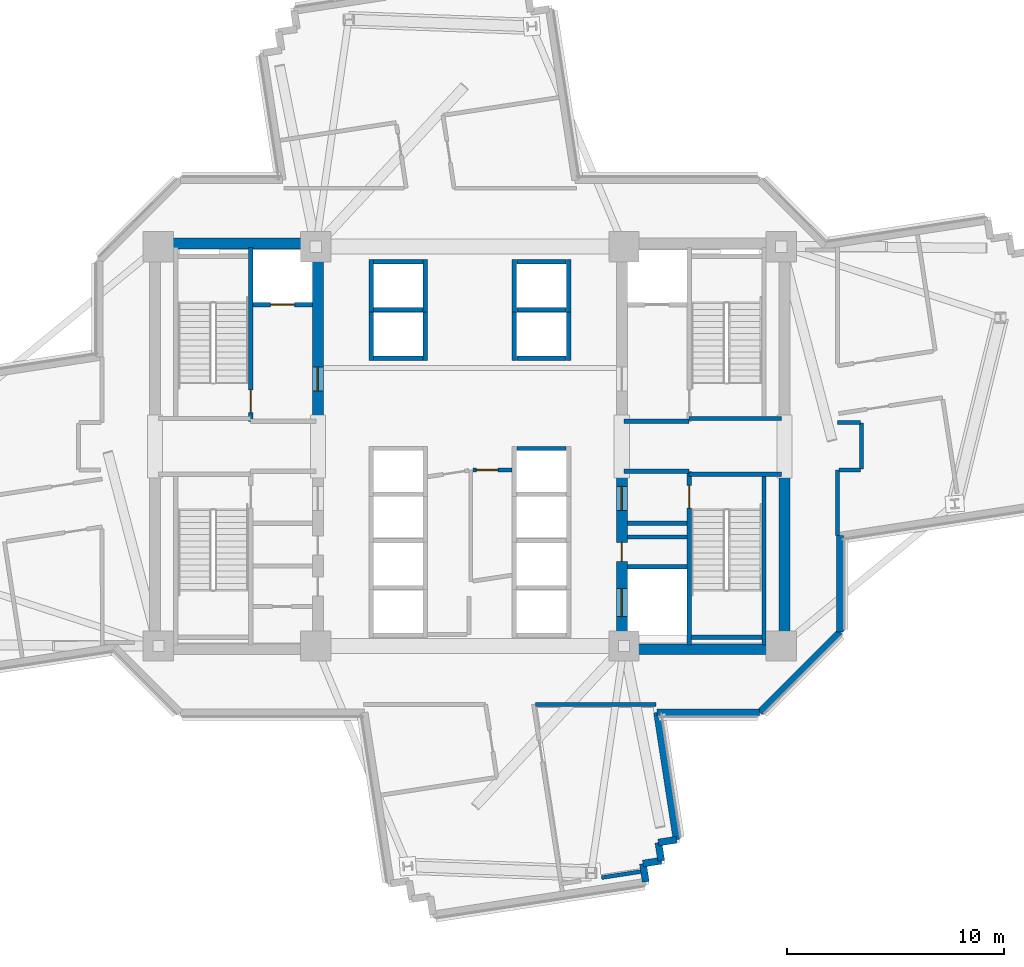
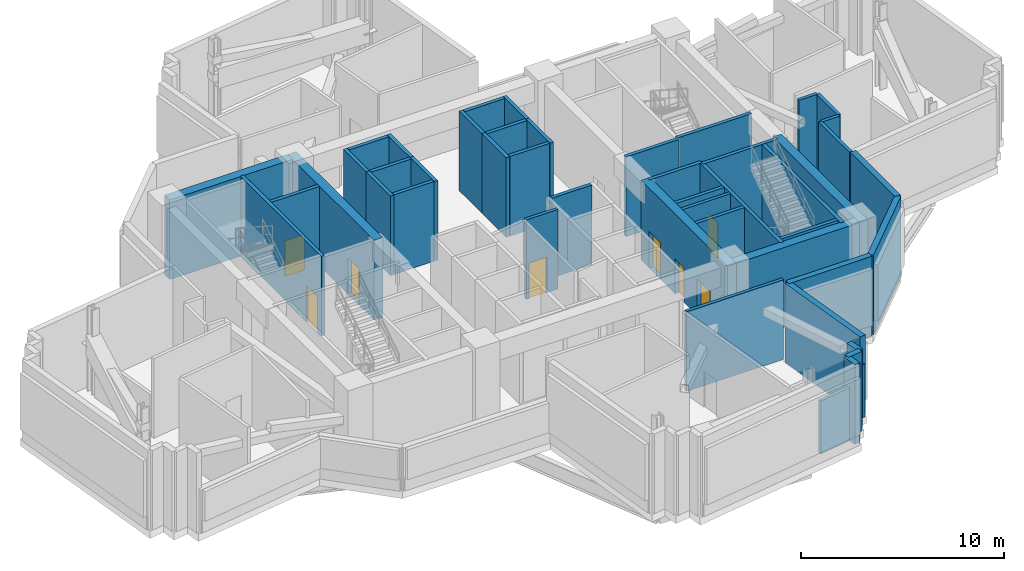
# One storey, part 4 of 10: 47 walls, 8 doors, 8 openings.
"""IFC4 building model written with IfcOpenShell, lengths in metres."""

from ifc_helpers import new_model, si_unit, direction, frame, frame_2d, origin, place, context, subcontext, project, spatial, rectangle, extrude, source, transform, mapped, material, layer, layer_set, type_object, element, fill, save


model = new_model("IFC4")

# Units and contexts
model_context = context("Model", 3, precision=1e-05, world=origin(), true_north=direction((0.0, 1.0)))
body_context = subcontext(model_context, "Body", "Model", "MODEL_VIEW")
ifc_project = project(units=[si_unit("LENGTHUNIT", "METRE"), si_unit("AREAUNIT", "SQUARE_METRE"), si_unit("VOLUMEUNIT", "CUBIC_METRE"), si_unit("PLANEANGLEUNIT", "RADIAN"), si_unit("MASSUNIT", "GRAM", prefix="KILO")], contexts=[model_context])

# Site, building, storey
site_placement = place(None, origin())
site = spatial("IfcSite", under=ifc_project, at=site_placement, CompositionType="ELEMENT")
building_placement = place(site_placement, origin())
building = spatial("IfcBuilding", under=site, at=building_placement, Name="Zahravan Cultural Tower", CompositionType="ELEMENT")
storey_placement = place(building_placement, frame((0.0, 0.0, 125.699951171875)))
storey = spatial("IfcBuildingStorey", under=building, at=storey_placement, Name="L28", CompositionType="ELEMENT", Elevation=125.699951171875)

# Wall, opening, door
ifc_material_1 = material(Name="Concrete C60/75", Category="concrete")
ifc_layer_1 = layer(ifc_material_1, 0.5)
ifc_layer_set_1 = layer_set([ifc_layer_1], Name="Concrete C60/75")
wall_type_1 = type_object("IfcWallType", Name="CW-SHEAR-500-C60", PredefinedType="SHEAR", material=ifc_layer_set_1)
wall_1_placement = place(storey_placement, frame((29.0, 28.050048828125, 0.0), z_axis=(0.0, 0.0, 1.0), x_axis=(0.0, 1.0, 0.0)))
wall_1 = element("IfcWall", 1, at=wall_1_placement, inside=storey, type_object=wall_type_1, Name="L28 Core Shear Wall CW-W-EN-L28", PredefinedType="SHEAR", context=body_context, shape_type="SweptSolid", body=[
    extrude(rectangle(XDim=8.550048828125, YDim=0.5, at=frame_2d((4.27490234375, 0.0))), origin(), (0.0, 0.0, 1.0), 4.800048828125),
])
opening_1_placement = place(wall_1_placement, frame((1.5, 0.0, 0.0)))
opening_1 = element("IfcOpeningElement", 2, at=opening_1_placement, cuts=wall_1, Name="Opening D-L28-05", PredefinedType="OPENING", context=body_context, shape_type="SweptSolid", body=[
    extrude(rectangle(XDim=1.10009765625, YDim=2.199951171875, at=frame_2d((0.550048828125, 1.10009765625))), frame((0.0, 0.260009765625, 0.0), z_axis=(0.0, -1.0, 0.0), x_axis=(1.0, 0.0, 0.0)), (0.0, 0.0, 1.0), 0.52001953125),
])
ifc_material_2 = material(Name="Steel ASTM A572 Grade 50", Category="steel")
door_type_1 = type_object("IfcDoorType", Name="DR-LOBBY-1100", OperationType="NOTDEFINED", PredefinedType="DOOR", material=ifc_material_2)
shared_shape_1 = source(origin(), body_context, "Body", "SweptSolid", [
    extrude(rectangle(XDim=1.10009765625, YDim=2.199951171875, at=frame_2d((0.550048828125, 1.10009765625))), frame((0.0, 0.02490234375, 0.0), z_axis=(0.0, -1.0, 0.0), x_axis=(1.0, 0.0, 0.0)), (0.0, 0.0, 1.0), 0.050048828125),
])
door_1_placement = place(opening_1_placement, origin())
door_1 = element("IfcDoor", 3, at=door_1_placement, inside=storey, type_object=door_type_1, Name="L28 Door D-L28-05", OperationType="SINGLE_SWING_RIGHT", OverallHeight=2.199951171875, OverallWidth=1.10009765625, PredefinedType="DOOR", context=body_context, shape_type="MappedRepresentation", body=[
    mapped(shared_shape_1, transform((0.0, 0.0, 0.0), x_axis=(1.0, 0.0, 0.0), y_axis=(0.0, 1.0, 0.0), z_axis=(0.0, 0.0, 1.0), scale=1.0)),
])
fill(opening_1, door_1)

# Wall, openings, doors
wall_2_placement = place(storey_placement, frame((43.0, 17.39990234375, 0.0), z_axis=(0.0, 0.0, 1.0), x_axis=(0.0, 1.0, 0.0)))
wall_2 = element("IfcWall", 4, at=wall_2_placement, inside=storey, type_object=wall_type_1, Name="L28 Core Shear Wall CW-E-WS-L28", PredefinedType="SHEAR", context=body_context, shape_type="SweptSolid", body=[
    extrude(rectangle(XDim=8.550048828125, YDim=0.5, at=frame_2d((4.27490234375, 0.0))), origin(), (0.0, 0.0, 1.0), 4.800048828125),
])
opening_2_placement = place(wall_2_placement, frame((6.64990234375, 0.0, 0.0)))
opening_2 = element("IfcOpeningElement", 5, at=opening_2_placement, cuts=wall_2, Name="Opening D-L28-08", PredefinedType="OPENING", context=body_context, shape_type="SweptSolid", body=[
    extrude(rectangle(XDim=1.10009765625, YDim=2.199951171875, at=frame_2d((0.550048828125, 1.10009765625))), frame((0.0, 0.260009765625, 0.0), z_axis=(0.0, -1.0, 0.0), x_axis=(1.0, 0.0, 0.0)), (0.0, 0.0, 1.0), 0.52001953125),
])
opening_3_placement = place(wall_2_placement, frame((1.75, 0.0, 0.0)))
opening_3 = element("IfcOpeningElement", 6, at=opening_3_placement, cuts=wall_2, Name="Opening LD-L28-03", PredefinedType="OPENING", context=body_context, shape_type="SweptSolid", body=[
    extrude(rectangle(XDim=1.300048828125, YDim=2.199951171875, at=frame_2d((0.64990234375, 1.10009765625))), frame((0.0, 0.260009765625, 0.0), z_axis=(0.0, -1.0, 0.0), x_axis=(1.0, 0.0, 0.0)), (0.0, 0.0, 1.0), 0.52001953125),
])
opening_4_placement = place(wall_2_placement, frame((4.300048828125, 0.0, 0.0)))
opening_4 = element("IfcOpeningElement", 7, at=opening_4_placement, cuts=wall_2, Name="Opening D-L28-12", PredefinedType="OPENING", context=body_context, shape_type="SweptSolid", body=[
    extrude(rectangle(XDim=0.8798828125, YDim=2.10009765625, at=frame_2d((0.43994140625, 1.050048828125))), frame((0.0, 0.260009765625, 0.0), z_axis=(0.0, -1.0, 0.0), x_axis=(1.0, 0.0, 0.0)), (0.0, 0.0, 1.0), 0.52001953125),
])
door_2_placement = place(opening_2_placement, origin())
door_2 = element("IfcDoor", 8, at=door_2_placement, inside=storey, type_object=door_type_1, Name="L28 Door D-L28-08", OperationType="SINGLE_SWING_LEFT", OverallHeight=2.199951171875, OverallWidth=1.10009765625, PredefinedType="DOOR", context=body_context, shape_type="MappedRepresentation", body=[
    mapped(shared_shape_1, transform((0.0, 0.0, 0.0), x_axis=(1.0, 0.0, 0.0), y_axis=(0.0, 1.0, 0.0), z_axis=(0.0, 0.0, 1.0), scale=1.0)),
])
fill(opening_2, door_2)
door_type_2 = type_object("IfcDoorType", Name="DR-LIFT-1300", OperationType="DOUBLE_DOOR_SLIDING", PredefinedType="DOOR", material=ifc_material_2)
shared_shape_2 = source(origin(), body_context, "Body", "SweptSolid", [
    extrude(rectangle(XDim=1.300048828125, YDim=2.199951171875, at=frame_2d((0.64990234375, 1.10009765625))), frame((0.0, 0.02490234375, 0.0), z_axis=(0.0, -1.0, 0.0), x_axis=(1.0, 0.0, 0.0)), (0.0, 0.0, 1.0), 0.050048828125),
])
door_3_placement = place(opening_3_placement, origin())
door_3 = element("IfcDoor", 9, at=door_3_placement, inside=storey, type_object=door_type_2, Name="L28 Door LD-L28-03", OperationType="DOUBLE_DOOR_SLIDING", OverallHeight=2.199951171875, OverallWidth=1.300048828125, PredefinedType="DOOR", context=body_context, shape_type="MappedRepresentation", body=[
    mapped(shared_shape_2, transform((0.0, 0.0, 0.0), x_axis=(1.0, 0.0, 0.0), y_axis=(0.0, 1.0, 0.0), z_axis=(0.0, 0.0, 1.0), scale=1.0)),
])
fill(opening_3, door_3)
door_type_3 = type_object("IfcDoorType", Name="DR-SVC-880", OperationType="NOTDEFINED", PredefinedType="DOOR", material=ifc_material_2)
shared_shape_3 = source(origin(), body_context, "Body", "SweptSolid", [
    extrude(rectangle(XDim=0.8798828125, YDim=2.10009765625, at=frame_2d((0.43994140625, 1.050048828125))), frame((0.0, 0.02490234375, 0.0), z_axis=(0.0, -1.0, 0.0), x_axis=(1.0, 0.0, 0.0)), (0.0, 0.0, 1.0), 0.050048828125),
])
door_4_placement = place(opening_4_placement, origin())
door_4 = element("IfcDoor", 10, at=door_4_placement, inside=storey, type_object=door_type_3, Name="L28 Door D-L28-12", OperationType="SINGLE_SWING_LEFT", OverallHeight=2.10009765625, OverallWidth=0.8798828125, PredefinedType="DOOR", context=body_context, shape_type="MappedRepresentation", body=[
    mapped(shared_shape_3, transform((0.0, 0.0, 0.0), x_axis=(1.0, 0.0, 0.0), y_axis=(0.0, 1.0, 0.0), z_axis=(0.0, 0.0, 1.0), scale=1.0)),
])
fill(opening_4, door_4)

# Wall, opening, door
ifc_material_3 = material(Name="Gypsum plasterboard partition")
ifc_layer_2 = layer(ifc_material_3, 0.179931640625)
ifc_layer_set_2 = layer_set([ifc_layer_2], Name="Gypsum plasterboard partition")
wall_type_2 = type_object("IfcWallType", Name="W-COMP-180", PredefinedType="PARTITIONING", material=ifc_layer_set_2)
wall_3_placement = place(storey_placement, frame((36.135009765625, 25.909912109375, 0.0), z_axis=(0.0, 0.0, 1.0), x_axis=(1.0, 0.0, 0.0)))
wall_3 = element("IfcWall", 11, at=wall_3_placement, inside=storey, type_object=wall_type_2, Name="L28 Interior Wall 070", PredefinedType="PARTITIONING", context=body_context, shape_type="SweptSolid", body=[
    extrude(rectangle(XDim=1.81005859375, YDim=0.179931640625, at=frame_2d((0.905029296875, 0.0))), origin(), (0.0, 0.0, 1.0), 4.800048828125),
])
opening_5_placement = place(wall_3_placement, frame((0.164306640625, 0.0, 0.0)))
opening_5 = element("IfcOpeningElement", 12, at=opening_5_placement, cuts=wall_3, Name="Opening D-L28-22", PredefinedType="OPENING", context=body_context, shape_type="SweptSolid", body=[
    extrude(rectangle(XDim=1.0, YDim=2.14990234375, at=frame_2d((0.5, 1.074951171875))), frame((0.0, 0.099853515625, 0.0), z_axis=(0.0, -1.0, 0.0), x_axis=(1.0, 0.0, 0.0)), (0.0, 0.0, 1.0), 0.199951171875),
])
door_type_4 = type_object("IfcDoorType", Name="DR-COMP-1000", OperationType="NOTDEFINED", PredefinedType="DOOR", material=ifc_material_2)
shared_shape_4 = source(origin(), body_context, "Body", "SweptSolid", [
    extrude(rectangle(XDim=1.0, YDim=2.14990234375, at=frame_2d((0.5, 1.074951171875))), frame((0.0, 0.02490234375, 0.0), z_axis=(0.0, -1.0, 0.0), x_axis=(1.0, 0.0, 0.0)), (0.0, 0.0, 1.0), 0.050048828125),
])
door_5_placement = place(opening_5_placement, origin())
door_5 = element("IfcDoor", 13, at=door_5_placement, inside=storey, type_object=door_type_4, Name="L28 Door D-L28-22", OperationType="SINGLE_SWING_LEFT", OverallHeight=2.14990234375, OverallWidth=1.0, PredefinedType="DOOR", context=body_context, shape_type="MappedRepresentation", body=[
    mapped(shared_shape_4, transform((0.0, 0.0, 0.0), x_axis=(1.0, 0.0, 0.0), y_axis=(0.0, 1.0, 0.0), z_axis=(0.0, 0.0, 1.0), scale=1.0)),
])
fill(opening_5, door_5)

ifc_material_4 = material(Name="Concrete C45/55", Category="concrete")
ifc_layer_3 = layer(ifc_material_4, 0.199951171875)
ifc_layer_set_3 = layer_set([ifc_layer_3], Name="Concrete C45/55")
wall_type_3 = type_object("IfcWallType", Name="W-SHAFT-200", PredefinedType="SOLIDWALL", material=ifc_layer_set_3)
wall_4_placement = place(storey_placement, frame((25.89990234375, 28.14990234375, 0.0), z_axis=(0.0, 0.0, 1.0), x_axis=(0.0, 1.0, 0.0)))
wall_4 = element("IfcWall", 14, at=wall_4_placement, inside=storey, type_object=wall_type_3, Name="L28 Interior Wall 006", PredefinedType="SOLIDWALL", context=body_context, shape_type="SweptSolid", body=[
    extrude(rectangle(XDim=8.0, YDim=0.199951171875, at=frame_2d((4.0, 0.0))), origin(), (0.0, 0.0, 1.0), 4.800048828125),
])
opening_6_placement = place(wall_4_placement, frame((0.39990234375, 0.0, 0.0)))
opening_6 = element("IfcOpeningElement", 15, at=opening_6_placement, cuts=wall_4, Name="Opening D-L28-01", PredefinedType="OPENING", context=body_context, shape_type="SweptSolid", body=[
    extrude(rectangle(XDim=1.050048828125, YDim=2.14990234375, at=frame_2d((0.52490234375, 1.074951171875))), frame((0.0, 0.10986328125, 0.0), z_axis=(0.0, -1.0, 0.0), x_axis=(1.0, 0.0, 0.0)), (0.0, 0.0, 1.0), 0.219970703125),
])
door_type_5 = type_object("IfcDoorType", Name="DR-STAIR-1050", OperationType="NOTDEFINED", PredefinedType="DOOR", material=ifc_material_2)
shared_shape_5 = source(origin(), body_context, "Body", "SweptSolid", [
    extrude(rectangle(XDim=1.050048828125, YDim=2.14990234375, at=frame_2d((0.52490234375, 1.074951171875))), frame((0.0, 0.02490234375, 0.0), z_axis=(0.0, -1.0, 0.0), x_axis=(1.0, 0.0, 0.0)), (0.0, 0.0, 1.0), 0.050048828125),
])
door_6_placement = place(opening_6_placement, origin())
door_6 = element("IfcDoor", 16, at=door_6_placement, inside=storey, type_object=door_type_5, Name="L28 Door D-L28-01", OperationType="SINGLE_SWING_RIGHT", OverallHeight=2.14990234375, OverallWidth=1.050048828125, PredefinedType="DOOR", context=body_context, shape_type="MappedRepresentation", body=[
    mapped(shared_shape_5, transform((0.0, 0.0, 0.0), x_axis=(1.0, 0.0, 0.0), y_axis=(0.0, 1.0, 0.0), z_axis=(0.0, 0.0, 1.0), scale=1.0)),
])
fill(opening_6, door_6)

wall_5_placement = place(storey_placement, frame((46.10009765625, 17.85009765625, 0.0), z_axis=(0.0, 0.0, 1.0), x_axis=(0.0, 1.0, 0.0)))
wall_5 = element("IfcWall", 17, at=wall_5_placement, inside=storey, type_object=wall_type_3, Name="L28 Interior Wall 007", PredefinedType="SOLIDWALL", context=body_context, shape_type="SweptSolid", body=[
    extrude(rectangle(XDim=8.0, YDim=0.199951171875, at=frame_2d((4.0, 0.0))), origin(), (0.0, 0.0, 1.0), 4.800048828125),
])
opening_7_placement = place(wall_5_placement, frame((6.300048828125, 0.0, 0.0)))
opening_7 = element("IfcOpeningElement", 18, at=opening_7_placement, cuts=wall_5, Name="Opening D-L28-03", PredefinedType="OPENING", context=body_context, shape_type="SweptSolid", body=[
    extrude(rectangle(XDim=1.050048828125, YDim=2.14990234375, at=frame_2d((0.52490234375, 1.074951171875))), frame((0.0, 0.10986328125, 0.0), z_axis=(0.0, -1.0, 0.0), x_axis=(1.0, 0.0, 0.0)), (0.0, 0.0, 1.0), 0.219970703125),
])
door_7_placement = place(opening_7_placement, origin())
door_7 = element("IfcDoor", 19, at=door_7_placement, inside=storey, type_object=door_type_5, Name="L28 Door D-L28-03", OperationType="SINGLE_SWING_RIGHT", OverallHeight=2.14990234375, OverallWidth=1.050048828125, PredefinedType="DOOR", context=body_context, shape_type="MappedRepresentation", body=[
    mapped(shared_shape_5, transform((0.0, 0.0, 0.0), x_axis=(1.0, 0.0, 0.0), y_axis=(0.0, 1.0, 0.0), z_axis=(0.0, 0.0, 1.0), scale=1.0)),
])
fill(opening_7, door_7)

wall_6_placement = place(storey_placement, frame((26.0, 33.52001953125, 0.0), z_axis=(0.0, 0.0, 1.0), x_axis=(1.0, 0.0, 0.0)))
wall_6 = element("IfcWall", 20, at=wall_6_placement, inside=storey, type_object=wall_type_3, Name="L28 Interior Wall 021", PredefinedType="SOLIDWALL", context=body_context, shape_type="SweptSolid", body=[
    extrude(rectangle(XDim=2.75, YDim=0.199951171875, at=frame_2d((1.375, 0.0))), origin(), (0.0, 0.0, 1.0), 4.800048828125),
])
opening_8_placement = place(wall_6_placement, frame((0.820068359375, 0.0, 0.0)))
opening_8 = element("IfcOpeningElement", 21, at=opening_8_placement, cuts=wall_6, Name="Opening LD-L28-01", PredefinedType="OPENING", context=body_context, shape_type="SweptSolid", body=[
    extrude(rectangle(XDim=1.10009765625, YDim=2.14990234375, at=frame_2d((0.550048828125, 1.074951171875))), frame((0.0, 0.10986328125, 0.0), z_axis=(0.0, -1.0, 0.0), x_axis=(1.0, 0.0, 0.0)), (0.0, 0.0, 1.0), 0.219970703125),
])
door_type_6 = type_object("IfcDoorType", Name="DR-LIFT-1100", OperationType="DOUBLE_DOOR_SLIDING", PredefinedType="DOOR", material=ifc_material_2)
shared_shape_6 = source(origin(), body_context, "Body", "SweptSolid", [
    extrude(rectangle(XDim=1.10009765625, YDim=2.14990234375, at=frame_2d((0.550048828125, 1.074951171875))), frame((0.0, 0.02490234375, 0.0), z_axis=(0.0, -1.0, 0.0), x_axis=(1.0, 0.0, 0.0)), (0.0, 0.0, 1.0), 0.050048828125),
])
door_8_placement = place(opening_8_placement, origin())
door_8 = element("IfcDoor", 22, at=door_8_placement, inside=storey, type_object=door_type_6, Name="L28 Door LD-L28-01", OperationType="DOUBLE_DOOR_SLIDING", OverallHeight=2.14990234375, OverallWidth=1.10009765625, PredefinedType="DOOR", context=body_context, shape_type="MappedRepresentation", body=[
    mapped(shared_shape_6, transform((0.0, 0.0, 0.0), x_axis=(1.0, 0.0, 0.0), y_axis=(0.0, 1.0, 0.0), z_axis=(0.0, 0.0, 1.0), scale=1.0)),
])
fill(opening_8, door_8)

# Walls
shared_shape_7 = source(origin(), body_context, "Body", "SweptSolid", [
    extrude(rectangle(XDim=8.550048828125, YDim=0.5, at=frame_2d((4.27490234375, 0.0))), origin(), (0.0, 0.0, 1.0), 4.800048828125),
])
wall_7_placement = place(storey_placement, frame((50.5, 17.39990234375, 0.0), z_axis=(0.0, 0.0, 1.0), x_axis=(0.0, 1.0, 0.0)))
element("IfcWall", 23, at=wall_7_placement, inside=storey, type_object=wall_type_1, Name="L28 Core Shear Wall CW-E-ES-L28", PredefinedType="SHEAR", context=body_context, shape_type="MappedRepresentation", body=[
    mapped(shared_shape_7, transform((0.0, 0.0, 0.0), x_axis=(1.0, 0.0, 0.0), y_axis=(0.0, 1.0, 0.0), z_axis=(0.0, 0.0, 1.0), scale=1.0)),
])
shared_shape_8 = source(origin(), body_context, "Body", "SweptSolid", [
    extrude(rectangle(XDim=7.0, YDim=0.5, at=frame_2d((3.5, 0.0))), origin(), (0.0, 0.0, 1.0), 4.800048828125),
])
for number, where, z_axis, x_axis, name in (
    (24, (21.75, 36.35009765625, 0.0), (0.0, 0.0, 1.0), (1.0, 0.0, 0.0), "L28 Core Shear Wall CW-W-N-L28"),
    (25, (43.25, 17.64990234375, 0.0), (0.0, 0.0, 1.0), (1.0, 0.0, 0.0), "L28 Core Shear Wall CW-E-S-L28"),
):
    element("IfcWall", number, at=place(storey_placement, frame(where, z_axis=z_axis, x_axis=x_axis)), inside=storey, type_object=wall_type_1, Name=name, PredefinedType="SHEAR", context=body_context, shape_type="MappedRepresentation", body=[
        mapped(shared_shape_8, transform((0.0, 0.0, 0.0), x_axis=(1.0, 0.0, 0.0), y_axis=(0.0, 1.0, 0.0), z_axis=(0.0, 0.0, 1.0), scale=1.0)),
    ])
ifc_material_5 = material(Name="Precast concrete C40/50", Category="concrete")
ifc_layer_4 = layer(ifc_material_5, 0.320068359375)
ifc_layer_set_4 = layer_set([ifc_layer_4], Name="Precast concrete C40/50")
wall_type_4 = type_object("IfcWallType", Name="EW-TC-320", PredefinedType="SOLIDWALL", material=ifc_layer_set_4)
shared_shape_9 = source(origin(), body_context, "Body", "SweptSolid", [
    extrude(rectangle(XDim=0.849853515625, YDim=0.320068359375, at=frame_2d((0.4248046875, 0.0))), origin(), (0.0, 0.0, 1.0), 4.800048828125),
])
for number, where, z_axis, x_axis, name in (
    (26, (44.684326171875, 8.74755859375, 0.0), (0.0, 0.0, 1.0), (0.1519492613, -0.98838829515, 0.0), "L28 Exterior Masonry Frame Wall 17"),
    (27, (44.8134765625, 7.907470703125, 0.0), (0.0, 0.0, 1.0), (-0.98838829515, -0.1519492613, 0.0), "L28 Exterior Masonry Frame Wall 18"),
    (28, (43.973388671875, 7.7783203125, 0.0), (0.0, 0.0, 1.0), (0.1519492613, -0.98838829515, 0.0), "L28 Exterior Masonry Frame Wall 19"),
):
    element("IfcWall", number, at=place(storey_placement, frame(where, z_axis=z_axis, x_axis=x_axis)), inside=storey, type_object=wall_type_4, Name=name, PredefinedType="SOLIDWALL", context=body_context, shape_type="MappedRepresentation", body=[
        mapped(shared_shape_9, transform((0.0, 0.0, 0.0), x_axis=(1.0, 0.0, 0.0), y_axis=(0.0, 1.0, 0.0), z_axis=(0.0, 0.0, 1.0), scale=1.0)),
    ])
shared_shape_10 = source(origin(), body_context, "Body", "SweptSolid", [
    extrude(rectangle(XDim=4.426513671875, YDim=0.320068359375, at=frame_2d((2.21337890625, 0.0))), origin(), (0.0, 0.0, 1.0), 4.800048828125),
])
wall_8_placement = place(storey_placement, frame((53.06005859375, 22.884521484375, 0.0), z_axis=(0.0, 0.0, 1.0), x_axis=(0.0, -1.0, 0.0)))
element("IfcWall", 29, at=wall_8_placement, inside=storey, type_object=wall_type_4, Name="L28 Exterior Masonry Frame Wall 12", PredefinedType="SOLIDWALL", context=body_context, shape_type="MappedRepresentation", body=[
    mapped(shared_shape_10, transform((0.0, 0.0, 0.0), x_axis=(1.0, 0.0, 0.0), y_axis=(0.0, 1.0, 0.0), z_axis=(0.0, 0.0, 1.0), scale=1.0)),
])
shared_shape_11 = source(origin(), body_context, "Body", "SweptSolid", [
    extrude(rectangle(XDim=5.258056640625, YDim=0.320068359375, at=frame_2d((2.62890625, 0.0))), origin(), (0.0, 0.0, 1.0), 4.800048828125),
])
wall_9_placement = place(storey_placement, frame((53.06005859375, 18.4580078125, 0.0), z_axis=(0.0, 0.0, 1.0), x_axis=(-0.707106781187, -0.707106781187, 0.0)))
element("IfcWall", 30, at=wall_9_placement, inside=storey, type_object=wall_type_4, Name="L28 Exterior Masonry Frame Wall 13", PredefinedType="SOLIDWALL", context=body_context, shape_type="MappedRepresentation", body=[
    mapped(shared_shape_11, transform((0.0, 0.0, 0.0), x_axis=(1.0, 0.0, 0.0), y_axis=(0.0, 1.0, 0.0), z_axis=(0.0, 0.0, 1.0), scale=1.0)),
])
shared_shape_12 = source(origin(), body_context, "Body", "SweptSolid", [
    extrude(rectangle(XDim=4.718994140625, YDim=0.320068359375, at=frame_2d((2.359375, 0.0))), origin(), (0.0, 0.0, 1.0), 4.800048828125),
])
wall_10_placement = place(storey_placement, frame((49.342041015625, 14.739990234375, 0.0), z_axis=(0.0, 0.0, 1.0), x_axis=(-1.0, 0.0, 0.0)))
element("IfcWall", 31, at=wall_10_placement, inside=storey, type_object=wall_type_4, Name="L28 Exterior Masonry Frame Wall 14", PredefinedType="SOLIDWALL", context=body_context, shape_type="MappedRepresentation", body=[
    mapped(shared_shape_12, transform((0.0, 0.0, 0.0), x_axis=(1.0, 0.0, 0.0), y_axis=(0.0, 1.0, 0.0), z_axis=(0.0, 0.0, 1.0), scale=1.0)),
])
shared_shape_13 = source(origin(), body_context, "Body", "SweptSolid", [
    extrude(rectangle(XDim=5.93212890625, YDim=0.320068359375, at=frame_2d((2.966064453125, 0.0))), origin(), (0.0, 0.0, 1.0), 4.800048828125),
])
wall_11_placement = place(storey_placement, frame((44.623046875, 14.739990234375, 0.0), z_axis=(0.0, 0.0, 1.0), x_axis=(0.151945849523, -0.988388819652, 0.0)))
element("IfcWall", 32, at=wall_11_placement, inside=storey, type_object=wall_type_4, Name="L28 Exterior Masonry Frame Wall 15", PredefinedType="SOLIDWALL", context=body_context, shape_type="MappedRepresentation", body=[
    mapped(shared_shape_13, transform((0.0, 0.0, 0.0), x_axis=(1.0, 0.0, 0.0), y_axis=(0.0, 1.0, 0.0), z_axis=(0.0, 0.0, 1.0), scale=1.0)),
])
shared_shape_14 = source(origin(), body_context, "Body", "SweptSolid", [
    extrude(rectangle(XDim=0.849853515625, YDim=0.320068359375, at=frame_2d((0.4248046875, 0.0))), origin(), (0.0, 0.0, 1.0), 3.192138671875),
])
wall_12_placement = place(storey_placement, frame((45.5244140625, 8.876708984375, 0.0), z_axis=(0.0, 0.0, 1.0), x_axis=(-0.98838829515, -0.1519492613, 0.0)))
element("IfcWall", 33, at=wall_12_placement, inside=storey, type_object=wall_type_4, Name="L28 Exterior Masonry Frame Wall 16", PredefinedType="SOLIDWALL", context=body_context, shape_type="MappedRepresentation", body=[
    mapped(shared_shape_14, transform((0.0, 0.0, 0.0), x_axis=(1.0, 0.0, 0.0), y_axis=(0.0, 1.0, 0.0), z_axis=(0.0, 0.0, 1.0), scale=1.0)),
])
shared_shape_15 = source(origin(), body_context, "Body", "SweptSolid", [
    extrude(rectangle(XDim=7.869873046875, YDim=0.199951171875, at=frame_2d((3.93505859375, 0.0))), origin(), (0.0, 0.0, 1.0), 4.800048828125),
])
wall_13_placement = place(storey_placement, frame((49.550048828125, 17.85009765625, 0.0), z_axis=(0.0, 0.0, 1.0), x_axis=(0.0, 1.0, 0.0)))
element("IfcWall", 34, at=wall_13_placement, inside=storey, type_object=wall_type_3, Name="L28 Interior Wall 003", PredefinedType="SOLIDWALL", context=body_context, shape_type="MappedRepresentation", body=[
    mapped(shared_shape_15, transform((0.0, 0.0, 0.0), x_axis=(1.0, 0.0, 0.0), y_axis=(0.0, 1.0, 0.0), z_axis=(0.0, 0.0, 1.0), scale=1.0)),
])
shared_shape_16 = source(origin(), body_context, "Body", "SweptSolid", [
    extrude(rectangle(XDim=4.25, YDim=0.199951171875, at=frame_2d((2.125, 0.0))), origin(), (0.0, 0.0, 1.0), 4.800048828125),
])
for number, where, z_axis, x_axis, name in (
    (35, (46.10009765625, 25.715087890625, 0.0), (0.0, 0.0, 1.0), (1.0, 0.0, 0.0), "L28 Interior Wall 014"),
    (36, (46.10009765625, 28.284912109375, 0.0), (0.0, 0.0, 1.0), (1.0, 0.0, 0.0), "L28 Interior Wall 016"),
):
    element("IfcWall", number, at=place(storey_placement, frame(where, z_axis=z_axis, x_axis=x_axis)), inside=storey, type_object=wall_type_3, Name=name, PredefinedType="SOLIDWALL", context=body_context, shape_type="MappedRepresentation", body=[
        mapped(shared_shape_16, transform((0.0, 0.0, 0.0), x_axis=(1.0, 0.0, 0.0), y_axis=(0.0, 1.0, 0.0), z_axis=(0.0, 0.0, 1.0), scale=1.0)),
    ])
shared_shape_17 = source(origin(), body_context, "Body", "SweptSolid", [
    extrude(rectangle(XDim=3.0, YDim=0.199951171875, at=frame_2d((1.5, 0.0))), origin(), (0.0, 0.0, 1.0), 4.800048828125),
])
for number, where, z_axis, x_axis, name in (
    (37, (43.10009765625, 25.85009765625, 0.0), (0.0, 0.0, 1.0), (1.0, 0.0, 0.0), "L28 Interior Wall 013"),
    (38, (43.10009765625, 28.14990234375, 0.0), (0.0, 0.0, 1.0), (1.0, 0.0, 0.0), "L28 Interior Wall 015"),
):
    element("IfcWall", number, at=place(storey_placement, frame(where, z_axis=z_axis, x_axis=x_axis)), inside=storey, type_object=wall_type_3, Name=name, PredefinedType="SOLIDWALL", context=body_context, shape_type="MappedRepresentation", body=[
        mapped(shared_shape_17, transform((0.0, 0.0, 0.0), x_axis=(1.0, 0.0, 0.0), y_axis=(0.0, 1.0, 0.0), z_axis=(0.0, 0.0, 1.0), scale=1.0)),
    ])
shared_shape_18 = source(origin(), body_context, "Body", "SweptSolid", [
    extrude(rectangle(XDim=3.25, YDim=0.199951171875, at=frame_2d((1.625, 0.0))), origin(), (0.0, 0.0, 1.0), 4.800048828125),
])
wall_14_placement = place(storey_placement, frame((46.199951171875, 18.199951171875, 0.0), z_axis=(0.0, 0.0, 1.0), x_axis=(1.0, 0.0, 0.0)))
element("IfcWall", 39, at=wall_14_placement, inside=storey, type_object=wall_type_3, Name="L28 Interior Wall 020", PredefinedType="SOLIDWALL", context=body_context, shape_type="MappedRepresentation", body=[
    mapped(shared_shape_18, transform((0.0, 0.0, 0.0), x_axis=(1.0, 0.0, 0.0), y_axis=(0.0, 1.0, 0.0), z_axis=(0.0, 0.0, 1.0), scale=1.0)),
])
shared_shape_19 = source(origin(), body_context, "Body", "SweptSolid", [
    extrude(rectangle(XDim=2.75, YDim=0.199951171875, at=frame_2d((1.375, 0.0))), origin(), (0.0, 0.0, 1.0), 4.800048828125),
])
for number, where, z_axis, x_axis, name in (
    (40, (43.25, 23.449951171875, 0.0), (0.0, 0.0, 1.0), (1.0, 0.0, 0.0), "L28 Interior Wall 024"),
    (41, (43.25, 21.449951171875, 0.0), (0.0, 0.0, 1.0), (1.0, 0.0, 0.0), "L28 Interior Wall 025"),
):
    element("IfcWall", number, at=place(storey_placement, frame(where, z_axis=z_axis, x_axis=x_axis)), inside=storey, type_object=wall_type_3, Name=name, PredefinedType="SOLIDWALL", context=body_context, shape_type="MappedRepresentation", body=[
        mapped(shared_shape_19, transform((0.0, 0.0, 0.0), x_axis=(1.0, 0.0, 0.0), y_axis=(0.0, 1.0, 0.0), z_axis=(0.0, 0.0, 1.0), scale=1.0)),
    ])
shared_shape_20 = source(origin(), body_context, "Body", "SweptSolid", [
    extrude(rectangle(XDim=2.75, YDim=0.179931640625, at=frame_2d((1.375, 0.0))), origin(), (0.0, 0.0, 1.0), 4.800048828125),
])
wall_15_placement = place(storey_placement, frame((43.25, 22.820068359375, 0.0), z_axis=(0.0, 0.0, 1.0), x_axis=(1.0, 0.0, 0.0)))
element("IfcWall", 42, at=wall_15_placement, inside=storey, type_object=wall_type_2, Name="L28 Interior Wall 028", PredefinedType="PARTITIONING", context=body_context, shape_type="MappedRepresentation", body=[
    mapped(shared_shape_20, transform((0.0, 0.0, 0.0), x_axis=(1.0, 0.0, 0.0), y_axis=(0.0, 1.0, 0.0), z_axis=(0.0, 0.0, 1.0), scale=1.0)),
])
shared_shape_21 = source(origin(), body_context, "Body", "SweptSolid", [
    extrude(rectangle(XDim=2.400146484375, YDim=0.199951171875, at=frame_2d((1.2001953125, 0.0))), origin(), (0.0, 0.0, 1.0), 4.800048828125),
])
for number, where, z_axis, x_axis, name in (
    (43, (31.449951171875, 33.199951171875, 0.0), (0.0, 0.0, 1.0), (0.0, 1.0, 0.0), "L28 Interior Wall 029"),
    (44, (33.949951171875, 33.199951171875, 0.0), (0.0, 0.0, 1.0), (0.0, 1.0, 0.0), "L28 Interior Wall 030"),
    (45, (31.449951171875, 30.949951171875, 0.0), (0.0, 0.0, 1.0), (0.0, 1.0, 0.0), "L28 Interior Wall 033"),
    (46, (33.949951171875, 30.949951171875, 0.0), (0.0, 0.0, 1.0), (0.0, 1.0, 0.0), "L28 Interior Wall 034"),
    (47, (38.050048828125, 33.199951171875, 0.0), (0.0, 0.0, 1.0), (0.0, 1.0, 0.0), "L28 Interior Wall 036"),
    (48, (40.550048828125, 33.199951171875, 0.0), (0.0, 0.0, 1.0), (0.0, 1.0, 0.0), "L28 Interior Wall 037"),
    (49, (38.050048828125, 30.949951171875, 0.0), (0.0, 0.0, 1.0), (0.0, 1.0, 0.0), "L28 Interior Wall 040"),
    (50, (40.550048828125, 30.949951171875, 0.0), (0.0, 0.0, 1.0), (0.0, 1.0, 0.0), "L28 Interior Wall 041"),
):
    element("IfcWall", number, at=place(storey_placement, frame(where, z_axis=z_axis, x_axis=x_axis)), inside=storey, type_object=wall_type_3, Name=name, PredefinedType="SOLIDWALL", context=body_context, shape_type="MappedRepresentation", body=[
        mapped(shared_shape_21, transform((0.0, 0.0, 0.0), x_axis=(1.0, 0.0, 0.0), y_axis=(0.0, 1.0, 0.0), z_axis=(0.0, 0.0, 1.0), scale=1.0)),
    ])
shared_shape_22 = source(origin(), body_context, "Body", "SweptSolid", [
    extrude(rectangle(XDim=2.260009765625, YDim=0.199951171875, at=frame_2d((1.1298828125, 0.0))), origin(), (0.0, 0.0, 1.0), 4.800048828125),
])
for number, where, z_axis, x_axis, name in (
    (51, (31.570068359375, 33.300048828125, 0.0), (0.0, 0.0, 1.0), (1.0, 0.0, 0.0), "L28 Interior Wall 031"),
    (52, (31.570068359375, 35.5, 0.0), (0.0, 0.0, 1.0), (1.0, 0.0, 0.0), "L28 Interior Wall 032"),
    (53, (31.570068359375, 31.050048828125, 0.0), (0.0, 0.0, 1.0), (1.0, 0.0, 0.0), "L28 Interior Wall 035"),
    (54, (38.169921875, 33.300048828125, 0.0), (0.0, 0.0, 1.0), (1.0, 0.0, 0.0), "L28 Interior Wall 038"),
    (55, (38.169921875, 35.5, 0.0), (0.0, 0.0, 1.0), (1.0, 0.0, 0.0), "L28 Interior Wall 039"),
    (56, (38.169921875, 31.050048828125, 0.0), (0.0, 0.0, 1.0), (1.0, 0.0, 0.0), "L28 Interior Wall 042"),
    (57, (38.169921875, 26.89990234375, 0.0), (0.0, 0.0, 1.0), (1.0, 0.0, 0.0), "L28 Interior Wall 066"),
):
    element("IfcWall", number, at=place(storey_placement, frame(where, z_axis=z_axis, x_axis=x_axis)), inside=storey, type_object=wall_type_3, Name=name, PredefinedType="SOLIDWALL", context=body_context, shape_type="MappedRepresentation", body=[
        mapped(shared_shape_22, transform((0.0, 0.0, 0.0), x_axis=(1.0, 0.0, 0.0), y_axis=(0.0, 1.0, 0.0), z_axis=(0.0, 0.0, 1.0), scale=1.0)),
    ])
shared_shape_23 = source(origin(), body_context, "Body", "SweptSolid", [
    extrude(rectangle(XDim=5.539306640625, YDim=0.179931640625, at=frame_2d((2.76953125, 0.0))), origin(), (0.0, 0.0, 1.0), 4.800048828125),
])
wall_16_placement = place(storey_placement, frame((39.02685546875, 15.110107421875, 0.0), z_axis=(0.0, 0.0, 1.0), x_axis=(1.0, 0.0, 0.0)))
element("IfcWall", 58, at=wall_16_placement, inside=storey, type_object=wall_type_2, Name="L28 Interior Wall 107", PredefinedType="PARTITIONING", context=body_context, shape_type="MappedRepresentation", body=[
    mapped(shared_shape_23, transform((0.0, 0.0, 0.0), x_axis=(1.0, 0.0, 0.0), y_axis=(0.0, 1.0, 0.0), z_axis=(0.0, 0.0, 1.0), scale=1.0)),
])
shared_shape_24 = source(origin(), body_context, "Body", "SweptSolid", [
    extrude(rectangle(XDim=3.025390625, YDim=0.179931640625, at=frame_2d((1.5126953125, 0.0))), origin(), (0.0, 0.0, 1.0), 4.800048828125),
])
wall_17_placement = place(storey_placement, frame((52.93994140625, 22.884521484375, 0.0), z_axis=(0.0, 0.0, 1.0), x_axis=(0.0, 1.0, 0.0)))
element("IfcWall", 59, at=wall_17_placement, inside=storey, type_object=wall_type_2, Name="L28 Interior Wall 092", PredefinedType="PARTITIONING", context=body_context, shape_type="MappedRepresentation", body=[
    mapped(shared_shape_24, transform((0.0, 0.0, 0.0), x_axis=(1.0, 0.0, 0.0), y_axis=(0.0, 1.0, 0.0), z_axis=(0.0, 0.0, 1.0), scale=1.0)),
])
shared_shape_25 = source(origin(), body_context, "Body", "SweptSolid", [
    extrude(rectangle(XDim=1.0009765625, YDim=0.179931640625, at=frame_2d((0.50048828125, 0.0))), origin(), (0.0, 0.0, 1.0), 4.800048828125),
])
wall_18_placement = place(storey_placement, frame((53.0, 25.909912109375, 0.0), z_axis=(0.0, 0.0, 1.0), x_axis=(0.999999881023, 0.00048780482, 0.0)))
element("IfcWall", 60, at=wall_18_placement, inside=storey, type_object=wall_type_2, Name="L28 Interior Wall 093", PredefinedType="PARTITIONING", context=body_context, shape_type="MappedRepresentation", body=[
    mapped(shared_shape_25, transform((0.0, 0.0, 0.0), x_axis=(1.0, 0.0, 0.0), y_axis=(0.0, 1.0, 0.0), z_axis=(0.0, 0.0, 1.0), scale=1.0)),
])
shared_shape_26 = source(origin(), body_context, "Body", "SweptSolid", [
    extrude(rectangle(XDim=2.109130859375, YDim=0.179931640625, at=frame_2d((1.0546875, 0.0))), origin(), (0.0, 0.0, 1.0), 4.800048828125),
])
wall_19_placement = place(storey_placement, frame((54.0400390625, 25.954345703125, 0.0), z_axis=(0.0, 0.0, 1.0), x_axis=(-0.001852063035, 0.99999828493, 0.0)))
element("IfcWall", 61, at=wall_19_placement, inside=storey, type_object=wall_type_2, Name="L28 Interior Wall 094", PredefinedType="PARTITIONING", context=body_context, shape_type="MappedRepresentation", body=[
    mapped(shared_shape_26, transform((0.0, 0.0, 0.0), x_axis=(1.0, 0.0, 0.0), y_axis=(0.0, 1.0, 0.0), z_axis=(0.0, 0.0, 1.0), scale=1.0)),
])
shared_shape_27 = source(origin(), body_context, "Body", "SweptSolid", [
    extrude(rectangle(XDim=1.0625, YDim=0.179931640625, at=frame_2d((0.53125, 0.0))), origin(), (0.0, 0.0, 1.0), 4.800048828125),
])
wall_20_placement = place(storey_placement, frame((54.00244140625, 28.089599609375, 0.0), z_axis=(0.0, 0.0, 1.0), x_axis=(-0.999999894403, 0.000459558775, 0.0)))
element("IfcWall", 62, at=wall_20_placement, inside=storey, type_object=wall_type_2, Name="L28 Interior Wall 095", PredefinedType="PARTITIONING", context=body_context, shape_type="MappedRepresentation", body=[
    mapped(shared_shape_27, transform((0.0, 0.0, 0.0), x_axis=(1.0, 0.0, 0.0), y_axis=(0.0, 1.0, 0.0), z_axis=(0.0, 0.0, 1.0), scale=1.0)),
])
shared_shape_28 = source(origin(), body_context, "Body", "SweptSolid", [
    extrude(rectangle(XDim=1.819580078125, YDim=0.179931640625, at=frame_2d((0.90966796875, 0.0))), origin(), (0.0, 0.0, 1.0), 3.192138671875),
])
wall_21_placement = place(storey_placement, frame((43.863525390625, 7.4072265625, 0.0), z_axis=(0.0, 0.0, 1.0), x_axis=(-0.98839959989, -0.151875708847, 0.0)))
element("IfcWall", 63, at=wall_21_placement, inside=storey, type_object=wall_type_2, Name="L28 Interior Wall 104", PredefinedType="PARTITIONING", context=body_context, shape_type="MappedRepresentation", body=[
    mapped(shared_shape_28, transform((0.0, 0.0, 0.0), x_axis=(1.0, 0.0, 0.0), y_axis=(0.0, 1.0, 0.0), z_axis=(0.0, 0.0, 1.0), scale=1.0)),
])

save(model, "model.ifc")
